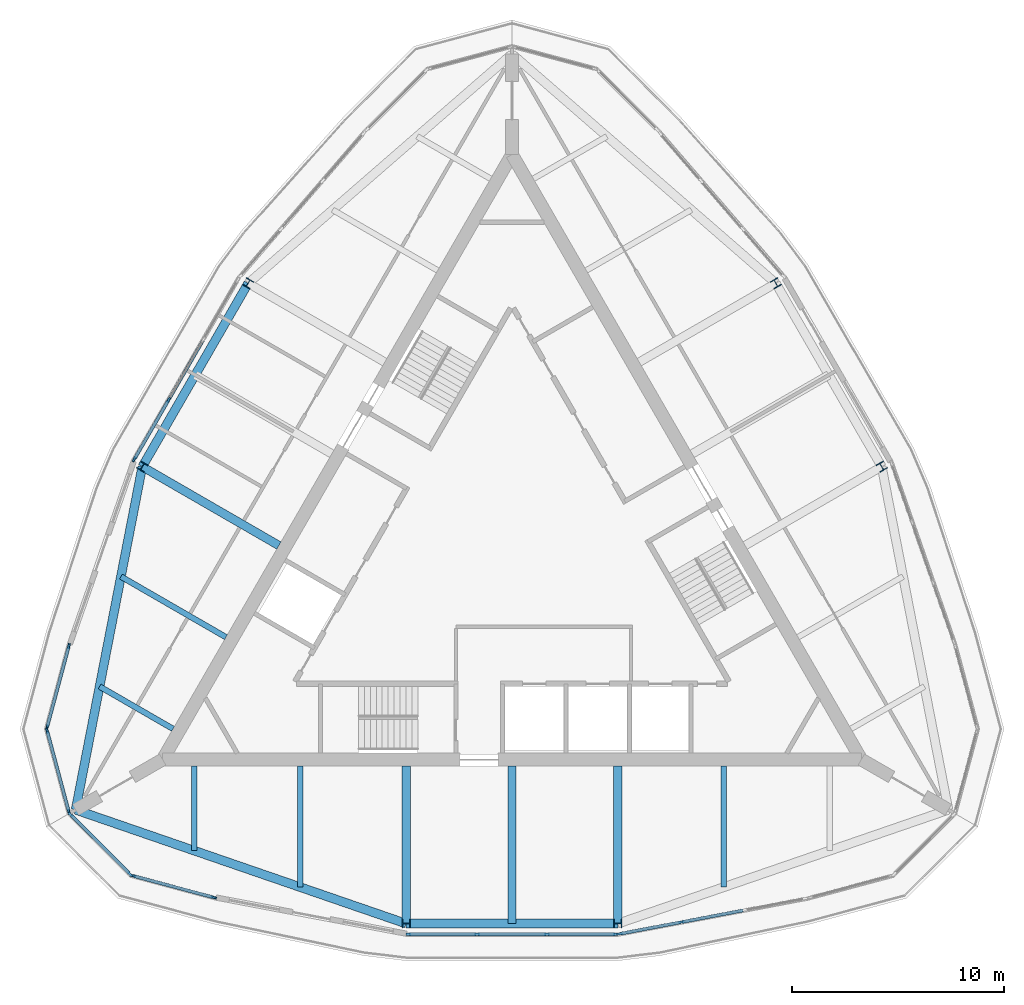
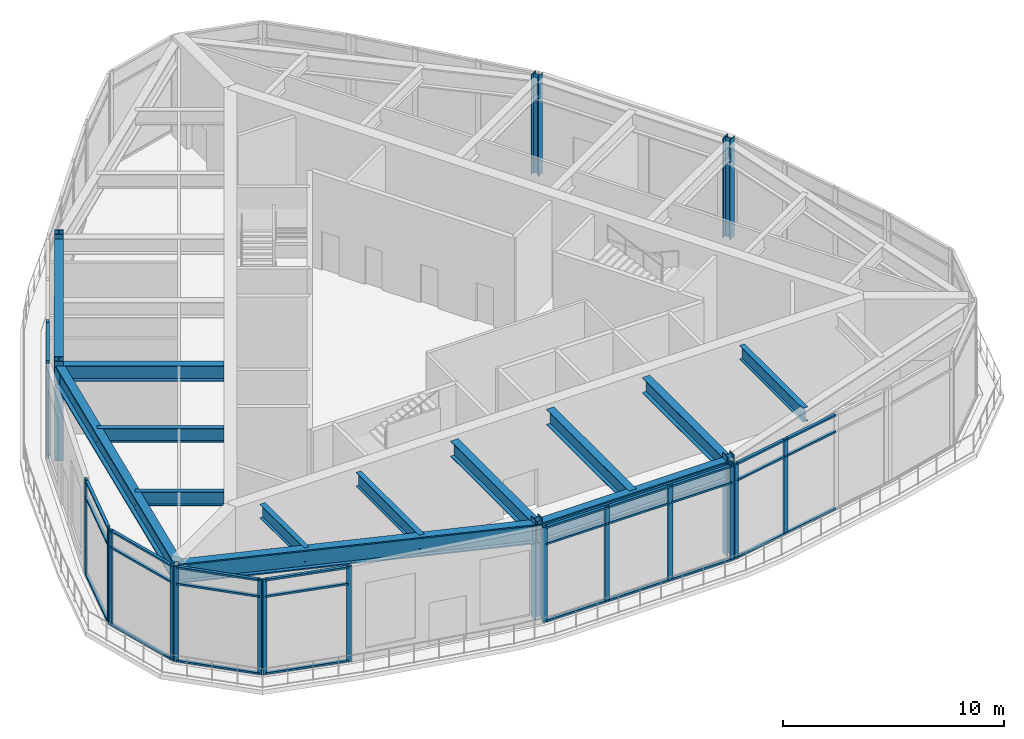
# One storey, part 1 of 9: 47 members, 13 beams, 6 columns, 7 elements without a shape of their own.
"""IFC4 building model written with IfcOpenShell, lengths in metres."""

from ifc_helpers import new_model, si_unit, direction, frame, origin, origin_2d, place, context, subcontext, project, spatial, rectangle, i_section, extrude, material, material_profile, profile_set, type_object, element, aggregate, save


model = new_model("IFC4")

# Units and contexts
model_context = context("Model", 3, precision=1e-05, world=origin(), true_north=direction((0.0, 1.0)))
body_context = subcontext(model_context, "Body", "Model", "MODEL_VIEW")
ifc_project = project(units=[si_unit("LENGTHUNIT", "METRE"), si_unit("AREAUNIT", "SQUARE_METRE"), si_unit("VOLUMEUNIT", "CUBIC_METRE"), si_unit("PLANEANGLEUNIT", "RADIAN"), si_unit("MASSUNIT", "GRAM", prefix="KILO")], contexts=[model_context])

# Site, building, storey
site_placement = place(None, origin())
site = spatial("IfcSite", under=ifc_project, at=site_placement, CompositionType="ELEMENT")
building_placement = place(site_placement, origin())
building = spatial("IfcBuilding", under=site, at=building_placement, Name="Trikona Tower", CompositionType="ELEMENT")
storey_placement = place(building_placement, frame((0.0, 0.0, 281.300048828125)))
storey = spatial("IfcBuildingStorey", under=building, at=storey_placement, Name="L74", CompositionType="ELEMENT", Elevation=281.300048828125)

# Columns
ifc_material_1 = material(Name="Steel ASTM A992 Grade 50", Category="steel")
ifc_material_profile_1 = material_profile(ifc_material_1, i_section(OverallWidth=0.398681640625, OverallDepth=0.385986328125, WebThickness=0.02099609375, FlangeThickness=0.033203125, at=origin_2d()), Name="W14X176")
ifc_profile_set_1 = profile_set([ifc_material_profile_1], Name="Steel ASTM A992 Grade 50")
column_type = type_object("IfcColumnType", Name="Steel column W14x176", PredefinedType="COLUMN", material=ifc_profile_set_1)
for number, where, z_axis, x_axis, name in (
    (1, (-5.0, -17.27587890625, 0.0), (0.0, 0.0, 1.0), (0.0, -1.0, 0.0), "Column F0m5"),
    (2, (5.0, -17.27587890625, 0.0), (0.0, 0.0, 1.0), (0.0, -1.0, 0.0), "Column F0p5"),
    (3, (17.461181640625, 4.307861328125, 0.0), (0.0, 0.0, 1.0), (0.866025403784, 0.5, 0.0), "Column F1m5"),
    (4, (12.461181640625, 12.968017578125, 0.0), (0.0, 0.0, 1.0), (0.866025403784, 0.5, 0.0), "Column F1p5"),
    (5, (-12.461181640625, 12.968017578125, 0.0), (0.0, 0.0, 1.0), (-0.866025403784, 0.5, 0.0), "Column F2m5"),
    (6, (-17.461181640625, 4.307861328125, 0.0), (0.0, 0.0, 1.0), (-0.866025403784, 0.5, 0.0), "Column F2p5"),
):
    element("IfcColumn", number, at=place(storey_placement, frame(where, z_axis=z_axis, x_axis=x_axis)), inside=storey, type_object=column_type, Name=name, PredefinedType="COLUMN", context=body_context, shape_type="SweptSolid", body=[
        extrude(i_section(OverallWidth=0.398681640625, OverallDepth=0.385986328125, WebThickness=0.02099609375, FlangeThickness=0.033203125, at=origin_2d()), origin(), (0.0, 0.0, 1.0), 5.5),
    ])

# Curtain wall, members
ifc_material_2 = material(Name="Aluminium curtain wall system", Category="aluminium")
curtain_wall_type = type_object("IfcCurtainWallType", Name="Curtain wall OB", PredefinedType="NOTDEFINED", material=ifc_material_2)
curtain_wall_1_placement = place(storey_placement, origin())
curtain_wall_1 = element("IfcCurtainWall", 7, at=curtain_wall_1_placement, inside=storey, type_object=curtain_wall_type, Name="Curtain wall OB L74", PredefinedType="NOTDEFINED")
ifc_material_3 = material(Name="Aluminium mullion, pale anodised", Category="aluminium")
ifc_material_profile_2 = material_profile(ifc_material_3, rectangle(XDim=0.10009765625, YDim=0.25, at=origin_2d()), Name="MUL-OB")
ifc_profile_set_2 = profile_set([ifc_material_profile_2], Name="Aluminium mullion, pale anodised")
member_type_1 = type_object("IfcMemberType", Name="Mullion OB 100x250", PredefinedType="MULLION", material=ifc_profile_set_2)
member_1_placement = place(storey_placement, frame((-4.889892578125, -17.77587890625, 0.0), z_axis=(0.0, 0.0, 1.0), x_axis=(0.0, 1.0, 0.0)))
member_1 = element("IfcMember", 8, at=member_1_placement, type_object=member_type_1, Name="CW-OB mullion 1", PredefinedType="MULLION", context=body_context, shape_type="SweptSolid", body=[
    extrude(rectangle(XDim=0.10009765625, YDim=0.25, at=origin_2d()), origin(), (0.0, 0.0, 1.0), 5.25),
])
member_2_placement = place(storey_placement, frame((-1.646728515625, -17.77587890625, 0.0), z_axis=(0.0, 0.0, 1.0), x_axis=(0.0, 1.0, 0.0)))
member_2 = element("IfcMember", 9, at=member_2_placement, type_object=member_type_1, Name="CW-OB mullion 2", PredefinedType="MULLION", context=body_context, shape_type="SweptSolid", body=[
    extrude(rectangle(XDim=0.10009765625, YDim=0.25, at=origin_2d()), origin(), (0.0, 0.0, 1.0), 5.25),
])
member_3_placement = place(storey_placement, frame((1.646728515625, -17.77587890625, 0.0), z_axis=(0.0, 0.0, 1.0), x_axis=(0.0, 1.0, 0.0)))
member_3 = element("IfcMember", 10, at=member_3_placement, type_object=member_type_1, Name="CW-OB mullion 3", PredefinedType="MULLION", context=body_context, shape_type="SweptSolid", body=[
    extrude(rectangle(XDim=0.10009765625, YDim=0.25, at=origin_2d()), origin(), (0.0, 0.0, 1.0), 5.25),
])
member_4_placement = place(storey_placement, frame((4.889892578125, -17.77587890625, 0.0), z_axis=(0.0, 0.0, 1.0), x_axis=(0.0, 1.0, 0.0)))
member_4 = element("IfcMember", 11, at=member_4_placement, type_object=member_type_1, Name="CW-OB mullion 4", PredefinedType="MULLION", context=body_context, shape_type="SweptSolid", body=[
    extrude(rectangle(XDim=0.10009765625, YDim=0.25, at=origin_2d()), origin(), (0.0, 0.0, 1.0), 5.25),
])

curtain_wall_2_placement = place(storey_placement, origin())
curtain_wall_2 = element("IfcCurtainWall", 12, at=curtain_wall_2_placement, inside=storey, type_object=curtain_wall_type, Name="Curtain wall OB L74", PredefinedType="NOTDEFINED")
member_5_placement = place(storey_placement, frame((5.08935546875, -17.757080078125, 0.0), z_axis=(0.0, 0.0, 1.0), x_axis=(-0.186660752571, 0.982424431419, 0.0)))
member_5 = element("IfcMember", 13, at=member_5_placement, type_object=member_type_1, Name="CW-OB mullion 1", PredefinedType="MULLION", context=body_context, shape_type="SweptSolid", body=[
    extrude(rectangle(XDim=0.10009765625, YDim=0.25, at=origin_2d()), origin(), (0.0, 0.0, 1.0), 5.25),
])
member_6_placement = place(storey_placement, frame((8.0009765625, -17.203857421875, 0.0), z_axis=(0.0, 0.0, 1.0), x_axis=(-0.186660752571, 0.982424431419, 0.0)))
member_6 = element("IfcMember", 14, at=member_6_placement, type_object=member_type_1, Name="CW-OB mullion 2", PredefinedType="MULLION", context=body_context, shape_type="SweptSolid", body=[
    extrude(rectangle(XDim=0.10009765625, YDim=0.25, at=origin_2d()), origin(), (0.0, 0.0, 1.0), 5.25),
])

curtain_wall_3_placement = place(storey_placement, origin())
curtain_wall_3 = element("IfcCurtainWall", 15, at=curtain_wall_3_placement, inside=storey, type_object=curtain_wall_type, Name="Curtain wall OB L74", PredefinedType="NOTDEFINED")
member_7_placement = place(storey_placement, frame((-16.217529296875, 7.4619140625, 0.0), z_axis=(0.0, 0.0, 1.0), x_axis=(0.866022089219, -0.500005740951, 0.0)))
member_7 = element("IfcMember", 16, at=member_7_placement, type_object=member_type_1, Name="CW-OB mullion 3", PredefinedType="MULLION", context=body_context, shape_type="SweptSolid", body=[
    extrude(rectangle(XDim=0.10009765625, YDim=0.25, at=origin_2d()), origin(), (0.0, 0.0, 1.0), 5.25),
])
member_8_placement = place(storey_placement, frame((-17.83935546875, 4.653076171875, 0.0), z_axis=(0.0, 0.0, 1.0), x_axis=(0.866022089219, -0.500005740951, 0.0)))
member_8 = element("IfcMember", 17, at=member_8_placement, type_object=member_type_1, Name="CW-OB mullion 4", PredefinedType="MULLION", context=body_context, shape_type="SweptSolid", body=[
    extrude(rectangle(XDim=0.10009765625, YDim=0.25, at=origin_2d()), origin(), (0.0, 0.0, 1.0), 5.25),
])

curtain_wall_4_placement = place(storey_placement, origin())
curtain_wall_4 = element("IfcCurtainWall", 18, at=curtain_wall_4_placement, inside=storey, type_object=curtain_wall_type, Name="Curtain wall OB L74", PredefinedType="NOTDEFINED")
member_9_placement = place(storey_placement, frame((-20.931884765625, -4.173583984375, 0.0), z_axis=(0.0, 0.0, 1.0), x_axis=(0.965921800259, -0.258834069983, 0.0)))
member_9 = element("IfcMember", 19, at=member_9_placement, type_object=member_type_1, Name="CW-OB mullion 1", PredefinedType="MULLION", context=body_context, shape_type="SweptSolid", body=[
    extrude(rectangle(XDim=0.10009765625, YDim=0.25, at=origin_2d()), origin(), (0.0, 0.0, 1.0), 5.25),
])
member_10_placement = place(storey_placement, frame((-21.957763671875, -8.00244140625, 0.0), z_axis=(0.0, 0.0, 1.0), x_axis=(0.965921800259, -0.258834069983, 0.0)))
member_10 = element("IfcMember", 20, at=member_10_placement, type_object=member_type_1, Name="CW-OB mullion 2", PredefinedType="MULLION", context=body_context, shape_type="SweptSolid", body=[
    extrude(rectangle(XDim=0.10009765625, YDim=0.25, at=origin_2d()), origin(), (0.0, 0.0, 1.0), 5.25),
])

curtain_wall_5_placement = place(storey_placement, origin())
curtain_wall_5 = element("IfcCurtainWall", 21, at=curtain_wall_5_placement, inside=storey, type_object=curtain_wall_type, Name="Curtain wall OB L74", PredefinedType="NOTDEFINED")
member_11_placement = place(storey_placement, frame((-21.957763671875, -8.163330078125, 0.0), z_axis=(0.0, 0.0, 1.0), x_axis=(0.965923448705, 0.258827918204, 0.0)))
member_11 = element("IfcMember", 22, at=member_11_placement, type_object=member_type_1, Name="CW-OB mullion 1", PredefinedType="MULLION", context=body_context, shape_type="SweptSolid", body=[
    extrude(rectangle(XDim=0.10009765625, YDim=0.25, at=origin_2d()), origin(), (0.0, 0.0, 1.0), 5.25),
])
member_12_placement = place(storey_placement, frame((-20.931884765625, -11.9921875, 0.0), z_axis=(0.0, 0.0, 1.0), x_axis=(0.965923448705, 0.258827918204, 0.0)))
member_12 = element("IfcMember", 23, at=member_12_placement, type_object=member_type_1, Name="CW-OB mullion 2", PredefinedType="MULLION", context=body_context, shape_type="SweptSolid", body=[
    extrude(rectangle(XDim=0.10009765625, YDim=0.25, at=origin_2d()), origin(), (0.0, 0.0, 1.0), 5.25),
])

curtain_wall_6_placement = place(storey_placement, origin())
curtain_wall_6 = element("IfcCurtainWall", 24, at=curtain_wall_6_placement, inside=storey, type_object=curtain_wall_type, Name="Curtain wall OB L74", PredefinedType="NOTDEFINED")
member_13_placement = place(storey_placement, frame((-20.8515625, -12.13134765625, 0.0), z_axis=(0.0, 0.0, 1.0), x_axis=(0.707106781187, 0.707106781187, 0.0)))
member_13 = element("IfcMember", 25, at=member_13_placement, type_object=member_type_1, Name="CW-OB mullion 1", PredefinedType="MULLION", context=body_context, shape_type="SweptSolid", body=[
    extrude(rectangle(XDim=0.10009765625, YDim=0.25, at=origin_2d()), origin(), (0.0, 0.0, 1.0), 5.25),
])
member_14_placement = place(storey_placement, frame((-18.048583984375, -14.934326171875, 0.0), z_axis=(0.0, 0.0, 1.0), x_axis=(0.707106781187, 0.707106781187, 0.0)))
member_14 = element("IfcMember", 26, at=member_14_placement, type_object=member_type_1, Name="CW-OB mullion 2", PredefinedType="MULLION", context=body_context, shape_type="SweptSolid", body=[
    extrude(rectangle(XDim=0.10009765625, YDim=0.25, at=origin_2d()), origin(), (0.0, 0.0, 1.0), 5.25),
])

curtain_wall_7_placement = place(storey_placement, origin())
curtain_wall_7 = element("IfcCurtainWall", 27, at=curtain_wall_7_placement, inside=storey, type_object=curtain_wall_type, Name="Curtain wall OB L74", PredefinedType="NOTDEFINED")
member_15_placement = place(storey_placement, frame((-17.909423828125, -15.0146484375, 0.0), z_axis=(0.0, 0.0, 1.0), x_axis=(0.258827918204, 0.965923448705, 0.0)))
member_15 = element("IfcMember", 28, at=member_15_placement, type_object=member_type_1, Name="CW-OB mullion 1", PredefinedType="MULLION", context=body_context, shape_type="SweptSolid", body=[
    extrude(rectangle(XDim=0.10009765625, YDim=0.25, at=origin_2d()), origin(), (0.0, 0.0, 1.0), 5.25),
])
member_16_placement = place(storey_placement, frame((-14.080322265625, -16.040771484375, 0.0), z_axis=(0.0, 0.0, 1.0), x_axis=(0.258827918204, 0.965923448705, 0.0)))
member_16 = element("IfcMember", 29, at=member_16_placement, type_object=member_type_1, Name="CW-OB mullion 2", PredefinedType="MULLION", context=body_context, shape_type="SweptSolid", body=[
    extrude(rectangle(XDim=0.10009765625, YDim=0.25, at=origin_2d()), origin(), (0.0, 0.0, 1.0), 5.25),
])

# Beams
ifc_material_4 = material(Name="Steel ASTM A992 Grade 50", Category="steel")
ifc_material_profile_3 = material_profile(ifc_material_4, i_section(OverallWidth=0.2666015625, OverallDepth=0.76953125, WebThickness=0.015625, FlangeThickness=0.025390625, at=origin_2d()), Name="W30X132")
ifc_profile_set_3 = profile_set([ifc_material_profile_3], Name="Steel ASTM A992 Grade 50")
beam_type_1 = type_object("IfcBeamType", Name="Steel beam W30x132 (wedge)", PredefinedType="BEAM", material=ifc_profile_set_3)
beam_1_placement = place(storey_placement, frame((-15.0, -9.826416015625, 4.865234375), z_axis=(0.0, -1.0, 0.0), x_axis=(1.0, 0.0, 0.0)))
element("IfcBeam", 30, at=beam_1_placement, inside=storey, type_object=beam_type_1, Name="Floor beam L75 F1 u-15", PredefinedType="BEAM", context=body_context, shape_type="SweptSolid", body=[
    extrude(i_section(OverallWidth=0.2666015625, OverallDepth=0.76953125, WebThickness=0.015625, FlangeThickness=0.025390625, at=origin_2d()), origin(), (0.0, 0.0, 1.0), 4.005126953125),
])
for number, where, z_axis, x_axis, name in (
    (31, (-10.0, -9.826416015625, 4.865234375), (0.0, -1.0, 0.0), (1.0, 0.0, 0.0), "Floor beam L75 F1 u-10"),
    (32, (10.0, -9.826416015625, 4.865234375), (0.0, -1.0, 0.0), (1.0, 0.0, 0.0), "Floor beam L75 F1 u10"),
):
    element("IfcBeam", number, at=place(storey_placement, frame(where, z_axis=z_axis, x_axis=x_axis)), inside=storey, type_object=beam_type_1, Name=name, PredefinedType="BEAM", context=body_context, shape_type="SweptSolid", body=[
        extrude(i_section(OverallWidth=0.2666015625, OverallDepth=0.76953125, WebThickness=0.015625, FlangeThickness=0.025390625, at=origin_2d()), origin(), (0.0, 0.0, 1.0), 5.727294921875),
    ])
beam_2_placement = place(storey_placement, frame((-13.509765625, -3.7470703125, 4.865234375), z_axis=(-0.866025872957, 0.499999187369, 0.0), x_axis=(-0.499999187369, -0.866025872957, 0.0)))
element("IfcBeam", 33, at=beam_2_placement, inside=storey, type_object=beam_type_1, Name="Floor beam L75 F3 u10", PredefinedType="BEAM", context=body_context, shape_type="SweptSolid", body=[
    extrude(i_section(OverallWidth=0.2666015625, OverallDepth=0.76953125, WebThickness=0.015625, FlangeThickness=0.025390625, at=origin_2d()), origin(), (0.0, 0.0, 1.0), 5.7275390625),
])
beam_3_placement = place(storey_placement, frame((-16.009765625, -8.077392578125, 4.865234375), z_axis=(-0.866025209122, 0.500000337164, 0.0), x_axis=(-0.500000337164, -0.866025209122, 0.0)))
element("IfcBeam", 34, at=beam_3_placement, inside=storey, type_object=beam_type_1, Name="Floor beam L75 F3 u15", PredefinedType="BEAM", context=body_context, shape_type="SweptSolid", body=[
    extrude(i_section(OverallWidth=0.2666015625, OverallDepth=0.76953125, WebThickness=0.015625, FlangeThickness=0.025390625, at=origin_2d()), origin(), (0.0, 0.0, 1.0), 4.00537109375),
])
ifc_material_5 = material(Name="Steel ASTM A992 Grade 50", Category="steel")
ifc_material_profile_4 = material_profile(ifc_material_5, i_section(OverallWidth=0.398681640625, OverallDepth=0.85595703125, WebThickness=0.01806640625, FlangeThickness=0.029296875, at=origin_2d()), Name="W33X201")
ifc_profile_set_4 = profile_set([ifc_material_profile_4], Name="Steel ASTM A992 Grade 50")
beam_type_2 = type_object("IfcBeamType", Name="Steel beam W33x201 (top)", PredefinedType="BEAM", material=ifc_profile_set_4)
for number, where, z_axis, x_axis, name in (
    (35, (-5.0, -9.826416015625, 4.822021484375), (0.0, -1.0, 0.0), (1.0, 0.0, 0.0), "Floor beam L75 F1 u-5"),
    (36, (0.0, -9.826416015625, 4.822021484375), (0.0, -1.0, 0.0), (1.0, 0.0, 0.0), "Floor beam L75 F1 u0"),
    (37, (5.0, -9.826416015625, 4.822021484375), (0.0, -1.0, 0.0), (1.0, 0.0, 0.0), "Floor beam L75 F1 u5"),
    (38, (-11.009765625, 0.5830078125, 4.822021484375), (-0.866018036629, 0.50001276007, 0.0), (-0.50001276007, -0.866018036629, 0.0), "Floor beam L75 F3 u5"),
):
    element("IfcBeam", number, at=place(storey_placement, frame(where, z_axis=z_axis, x_axis=x_axis)), inside=storey, type_object=beam_type_2, Name=name, PredefinedType="BEAM", context=body_context, shape_type="SweptSolid", body=[
        extrude(i_section(OverallWidth=0.398681640625, OverallDepth=0.85595703125, WebThickness=0.01806640625, FlangeThickness=0.029296875, at=origin_2d()), origin(), (0.0, 0.0, 1.0), 7.449462890625),
    ])
ifc_material_6 = material(Name="Steel ASTM A992 Grade 50", Category="steel")
ifc_material_profile_5 = material_profile(ifc_material_6, i_section(OverallWidth=0.41650390625, OverallDepth=1.0693359375, WebThickness=0.0390625, FlangeThickness=0.070068359375, at=origin_2d()), Name="W40X503")
ifc_profile_set_5 = profile_set([ifc_material_profile_5], Name="Steel ASTM A992 Grade 50")
beam_type_3 = type_object("IfcBeamType", Name="Steel beam W40x503 (crown spandrel)", PredefinedType="SPANDREL", material=ifc_profile_set_5)
beam_4_placement = place(storey_placement, frame((-20.6103515625, -11.8994140625, 4.71533203125), z_axis=(0.945492661054, -0.325643406033, 0.0), x_axis=(0.325643406033, 0.945492661054, 0.0)))
element("IfcBeam", 39, at=beam_4_placement, inside=storey, type_object=beam_type_3, Name="Spandrel beam L75 F1-1", PredefinedType="SPANDREL", context=body_context, shape_type="SweptSolid", body=[
    extrude(i_section(OverallWidth=0.41650390625, OverallDepth=1.0693359375, WebThickness=0.0390625, FlangeThickness=0.070068359375, at=origin_2d()), origin(), (0.0, 0.0, 1.0), 16.51025390625),
])
for number, where, z_axis, x_axis, name in (
    (40, (-5.0, -17.27587890625, 4.71533203125), (1.0, 0.0, 0.0), (0.0, 1.0, 0.0), "Spandrel beam L75 F1-2"),
    (41, (-12.461181640625, 12.968017578125, 4.71533203125), (-0.500004234368, -0.866022959057, 0.0), (0.866022959057, -0.500004234368, 0.0), "Spandrel beam L75 F3-2"),
):
    element("IfcBeam", number, at=place(storey_placement, frame(where, z_axis=z_axis, x_axis=x_axis)), inside=storey, type_object=beam_type_3, Name=name, PredefinedType="SPANDREL", context=body_context, shape_type="SweptSolid", body=[
        extrude(i_section(OverallWidth=0.41650390625, OverallDepth=1.0693359375, WebThickness=0.0390625, FlangeThickness=0.070068359375, at=origin_2d()), origin(), (0.0, 0.0, 1.0), 10.0),
    ])
beam_5_placement = place(storey_placement, frame((-17.461181640625, 4.307861328125, 4.71533203125), z_axis=(-0.190738651496, -0.981640854297, 0.0), x_axis=(0.981640854297, -0.190738651496, 0.0)))
element("IfcBeam", 42, at=beam_5_placement, inside=storey, type_object=beam_type_3, Name="Spandrel beam L75 F3-3", PredefinedType="SPANDREL", context=body_context, shape_type="SweptSolid", body=[
    extrude(i_section(OverallWidth=0.41650390625, OverallDepth=1.0693359375, WebThickness=0.0390625, FlangeThickness=0.070068359375, at=origin_2d()), origin(), (0.0, 0.0, 1.0), 16.510498046875),
])

# Member
ifc_material_7 = material(Name="Aluminium transom, pale anodised", Category="aluminium")
ifc_material_profile_6 = material_profile(ifc_material_7, rectangle(XDim=0.14990234375, YDim=0.10009765625, at=origin_2d()), Name="TRN-OB")
ifc_profile_set_6 = profile_set([ifc_material_profile_6], Name="Aluminium transom, pale anodised")
member_type_2 = type_object("IfcMemberType", Name="Transom OB 100x150", PredefinedType="USERDEFINED", material=ifc_profile_set_6)
member_17_placement = place(storey_placement, frame((-4.840087890625, -17.77587890625, 0.050048828125), z_axis=(1.0, 0.0, 0.0), x_axis=(0.0, 1.0, 0.0)))
member_17 = element("IfcMember", 43, at=member_17_placement, type_object=member_type_2, Name="CW-OB transom 1.1", ObjectType="TRANSOM", PredefinedType="USERDEFINED", context=body_context, shape_type="SweptSolid", body=[
    extrude(rectangle(XDim=0.14990234375, YDim=0.10009765625, at=origin_2d()), origin(), (0.0, 0.0, 1.0), 3.143310546875),
])

member_18_placement = place(storey_placement, frame((-4.840087890625, -17.77587890625, 4.300048828125), z_axis=(1.0, 0.0, 0.0), x_axis=(0.0, 1.0, 0.0)))
member_18 = element("IfcMember", 44, at=member_18_placement, type_object=member_type_2, Name="CW-OB transom 1.2", ObjectType="TRANSOM", PredefinedType="USERDEFINED", context=body_context, shape_type="SweptSolid", body=[
    extrude(rectangle(XDim=0.14990234375, YDim=0.10009765625, at=origin_2d()), origin(), (0.0, 0.0, 1.0), 3.143310546875),
])

member_19_placement = place(storey_placement, frame((-4.840087890625, -17.77587890625, 5.199951171875), z_axis=(1.0, 0.0, 0.0), x_axis=(0.0, 1.0, 0.0)))
member_19 = element("IfcMember", 45, at=member_19_placement, type_object=member_type_2, Name="CW-OB transom 1.3", ObjectType="TRANSOM", PredefinedType="USERDEFINED", context=body_context, shape_type="SweptSolid", body=[
    extrude(rectangle(XDim=0.14990234375, YDim=0.10009765625, at=origin_2d()), origin(), (0.0, 0.0, 1.0), 3.143310546875),
])

member_20_placement = place(storey_placement, frame((-1.5966796875, -17.77587890625, 0.050048828125), z_axis=(1.0, 0.0, 0.0), x_axis=(0.0, 1.0, 0.0)))
member_20 = element("IfcMember", 46, at=member_20_placement, type_object=member_type_2, Name="CW-OB transom 2.1", ObjectType="TRANSOM", PredefinedType="USERDEFINED", context=body_context, shape_type="SweptSolid", body=[
    extrude(rectangle(XDim=0.14990234375, YDim=0.10009765625, at=origin_2d()), origin(), (0.0, 0.0, 1.0), 3.193359375),
])

member_21_placement = place(storey_placement, frame((-1.5966796875, -17.77587890625, 4.300048828125), z_axis=(1.0, 0.0, 0.0), x_axis=(0.0, 1.0, 0.0)))
member_21 = element("IfcMember", 47, at=member_21_placement, type_object=member_type_2, Name="CW-OB transom 2.2", ObjectType="TRANSOM", PredefinedType="USERDEFINED", context=body_context, shape_type="SweptSolid", body=[
    extrude(rectangle(XDim=0.14990234375, YDim=0.10009765625, at=origin_2d()), origin(), (0.0, 0.0, 1.0), 3.193359375),
])

member_22_placement = place(storey_placement, frame((-1.5966796875, -17.77587890625, 5.199951171875), z_axis=(1.0, 0.0, 0.0), x_axis=(0.0, 1.0, 0.0)))
member_22 = element("IfcMember", 48, at=member_22_placement, type_object=member_type_2, Name="CW-OB transom 2.3", ObjectType="TRANSOM", PredefinedType="USERDEFINED", context=body_context, shape_type="SweptSolid", body=[
    extrude(rectangle(XDim=0.14990234375, YDim=0.10009765625, at=origin_2d()), origin(), (0.0, 0.0, 1.0), 3.193359375),
])

member_23_placement = place(storey_placement, frame((1.69677734375, -17.77587890625, 0.050048828125), z_axis=(1.0, 0.0, 0.0), x_axis=(0.0, 1.0, 0.0)))
member_23 = element("IfcMember", 49, at=member_23_placement, type_object=member_type_2, Name="CW-OB transom 3.1", ObjectType="TRANSOM", PredefinedType="USERDEFINED", context=body_context, shape_type="SweptSolid", body=[
    extrude(rectangle(XDim=0.14990234375, YDim=0.10009765625, at=origin_2d()), origin(), (0.0, 0.0, 1.0), 3.143310546875),
])

member_24_placement = place(storey_placement, frame((1.69677734375, -17.77587890625, 4.300048828125), z_axis=(1.0, 0.0, 0.0), x_axis=(0.0, 1.0, 0.0)))
member_24 = element("IfcMember", 50, at=member_24_placement, type_object=member_type_2, Name="CW-OB transom 3.2", ObjectType="TRANSOM", PredefinedType="USERDEFINED", context=body_context, shape_type="SweptSolid", body=[
    extrude(rectangle(XDim=0.14990234375, YDim=0.10009765625, at=origin_2d()), origin(), (0.0, 0.0, 1.0), 3.143310546875),
])

member_25_placement = place(storey_placement, frame((1.69677734375, -17.77587890625, 5.199951171875), z_axis=(1.0, 0.0, 0.0), x_axis=(0.0, 1.0, 0.0)))
member_25 = element("IfcMember", 51, at=member_25_placement, type_object=member_type_2, Name="CW-OB transom 3.3", ObjectType="TRANSOM", PredefinedType="USERDEFINED", context=body_context, shape_type="SweptSolid", body=[
    extrude(rectangle(XDim=0.14990234375, YDim=0.10009765625, at=origin_2d()), origin(), (0.0, 0.0, 1.0), 3.143310546875),
])

aggregate(curtain_wall_1, [member_1, member_2, member_3, member_4, member_17, member_18, member_19, member_20, member_21, member_22, member_23, member_24, member_25])

member_26_placement = place(storey_placement, frame((5.138427734375, -17.747802734375, 0.050048828125), z_axis=(0.982417572475, 0.186696848639, 0.0), x_axis=(-0.186696848639, 0.982417572475, 0.0)))
member_26 = element("IfcMember", 52, at=member_26_placement, type_object=member_type_2, Name="CW-OB transom 1.1", ObjectType="TRANSOM", PredefinedType="USERDEFINED", context=body_context, shape_type="SweptSolid", body=[
    extrude(rectangle(XDim=0.14990234375, YDim=0.10009765625, at=origin_2d()), origin(), (0.0, 0.0, 1.0), 2.86376953125),
])

member_27_placement = place(storey_placement, frame((5.138427734375, -17.747802734375, 4.300048828125), z_axis=(0.982417572475, 0.186696848639, 0.0), x_axis=(-0.186696848639, 0.982417572475, 0.0)))
member_27 = element("IfcMember", 53, at=member_27_placement, type_object=member_type_2, Name="CW-OB transom 1.2", ObjectType="TRANSOM", PredefinedType="USERDEFINED", context=body_context, shape_type="SweptSolid", body=[
    extrude(rectangle(XDim=0.14990234375, YDim=0.10009765625, at=origin_2d()), origin(), (0.0, 0.0, 1.0), 2.86376953125),
])

member_28_placement = place(storey_placement, frame((5.138427734375, -17.747802734375, 5.199951171875), z_axis=(0.982417572475, 0.186696848639, 0.0), x_axis=(-0.186696848639, 0.982417572475, 0.0)))
member_28 = element("IfcMember", 54, at=member_28_placement, type_object=member_type_2, Name="CW-OB transom 1.3", ObjectType="TRANSOM", PredefinedType="USERDEFINED", context=body_context, shape_type="SweptSolid", body=[
    extrude(rectangle(XDim=0.14990234375, YDim=0.10009765625, at=origin_2d()), origin(), (0.0, 0.0, 1.0), 2.86376953125),
])

member_29_placement = place(storey_placement, frame((8.050048828125, -17.194580078125, 0.050048828125), z_axis=(0.982420610208, 0.186680863074, 0.0), x_axis=(-0.186680863074, 0.982420610208, 0.0)))
member_29 = element("IfcMember", 55, at=member_29_placement, type_object=member_type_2, Name="CW-OB transom 2.1", ObjectType="TRANSOM", PredefinedType="USERDEFINED", context=body_context, shape_type="SweptSolid", body=[
    extrude(rectangle(XDim=0.14990234375, YDim=0.10009765625, at=origin_2d()), origin(), (0.0, 0.0, 1.0), 2.913818359375),
])

member_30_placement = place(storey_placement, frame((8.050048828125, -17.194580078125, 4.300048828125), z_axis=(0.982420610208, 0.186680863074, 0.0), x_axis=(-0.186680863074, 0.982420610208, 0.0)))
member_30 = element("IfcMember", 56, at=member_30_placement, type_object=member_type_2, Name="CW-OB transom 2.2", ObjectType="TRANSOM", PredefinedType="USERDEFINED", context=body_context, shape_type="SweptSolid", body=[
    extrude(rectangle(XDim=0.14990234375, YDim=0.10009765625, at=origin_2d()), origin(), (0.0, 0.0, 1.0), 2.913818359375),
])

member_31_placement = place(storey_placement, frame((8.050048828125, -17.194580078125, 5.199951171875), z_axis=(0.982420610208, 0.186680863074, 0.0), x_axis=(-0.186680863074, 0.982420610208, 0.0)))
member_31 = element("IfcMember", 57, at=member_31_placement, type_object=member_type_2, Name="CW-OB transom 2.3", ObjectType="TRANSOM", PredefinedType="USERDEFINED", context=body_context, shape_type="SweptSolid", body=[
    extrude(rectangle(XDim=0.14990234375, YDim=0.10009765625, at=origin_2d()), origin(), (0.0, 0.0, 1.0), 2.913818359375),
])

aggregate(curtain_wall_2, [member_5, member_6, member_26, member_27, member_28, member_29, member_30, member_31])

member_32_placement = place(storey_placement, frame((-14.595947265625, 10.270751953125, 0.050048828125), z_axis=(-0.499987164874, -0.866032814021, 0.0), x_axis=(0.866032814021, -0.499987164874, 0.0)))
member_32 = element("IfcMember", 58, at=member_32_placement, type_object=member_type_2, Name="CW-OB transom 2.1", ObjectType="TRANSOM", PredefinedType="USERDEFINED", context=body_context, shape_type="SweptSolid", body=[
    extrude(rectangle(XDim=0.14990234375, YDim=0.10009765625, at=origin_2d()), origin(), (0.0, 0.0, 1.0), 3.193359375),
])

member_33_placement = place(storey_placement, frame((-16.24267578125, 7.41845703125, 0.050048828125), z_axis=(-0.499973465047, -0.866040723205, 0.0), x_axis=(0.866040723205, -0.499973465047, 0.0)))
member_33 = element("IfcMember", 59, at=member_33_placement, type_object=member_type_2, Name="CW-OB transom 3.1", ObjectType="TRANSOM", PredefinedType="USERDEFINED", context=body_context, shape_type="SweptSolid", body=[
    extrude(rectangle(XDim=0.14990234375, YDim=0.10009765625, at=origin_2d()), origin(), (0.0, 0.0, 1.0), 3.143310546875),
])

member_34_placement = place(storey_placement, frame((-16.24267578125, 7.41845703125, 4.300048828125), z_axis=(-0.499973465047, -0.866040723205, 0.0), x_axis=(0.866040723205, -0.499973465047, 0.0)))
member_34 = element("IfcMember", 60, at=member_34_placement, type_object=member_type_2, Name="CW-OB transom 3.2", ObjectType="TRANSOM", PredefinedType="USERDEFINED", context=body_context, shape_type="SweptSolid", body=[
    extrude(rectangle(XDim=0.14990234375, YDim=0.10009765625, at=origin_2d()), origin(), (0.0, 0.0, 1.0), 3.143310546875),
])

member_35_placement = place(storey_placement, frame((-16.24267578125, 7.41845703125, 5.199951171875), z_axis=(-0.499973465047, -0.866040723205, 0.0), x_axis=(0.866040723205, -0.499973465047, 0.0)))
member_35 = element("IfcMember", 61, at=member_35_placement, type_object=member_type_2, Name="CW-OB transom 3.3", ObjectType="TRANSOM", PredefinedType="USERDEFINED", context=body_context, shape_type="SweptSolid", body=[
    extrude(rectangle(XDim=0.14990234375, YDim=0.10009765625, at=origin_2d()), origin(), (0.0, 0.0, 1.0), 3.143310546875),
])

aggregate(curtain_wall_3, [member_7, member_8, member_32, member_33, member_34, member_35])

member_36_placement = place(storey_placement, frame((-20.94482421875, -4.221923828125, 0.050048828125), z_axis=(-0.258810832585, -0.965928026789, 0.0), x_axis=(0.965928026789, -0.258810832585, 0.0)))
member_36 = element("IfcMember", 62, at=member_36_placement, type_object=member_type_2, Name="CW-OB transom 1.1", ObjectType="TRANSOM", PredefinedType="USERDEFINED", context=body_context, shape_type="SweptSolid", body=[
    extrude(rectangle(XDim=0.14990234375, YDim=0.10009765625, at=origin_2d()), origin(), (0.0, 0.0, 1.0), 3.86376953125),
])

member_37_placement = place(storey_placement, frame((-20.94482421875, -4.221923828125, 4.300048828125), z_axis=(-0.258810832585, -0.965928026789, 0.0), x_axis=(0.965928026789, -0.258810832585, 0.0)))
member_37 = element("IfcMember", 63, at=member_37_placement, type_object=member_type_2, Name="CW-OB transom 1.2", ObjectType="TRANSOM", PredefinedType="USERDEFINED", context=body_context, shape_type="SweptSolid", body=[
    extrude(rectangle(XDim=0.14990234375, YDim=0.10009765625, at=origin_2d()), origin(), (0.0, 0.0, 1.0), 3.86376953125),
])

member_38_placement = place(storey_placement, frame((-20.94482421875, -4.221923828125, 5.199951171875), z_axis=(-0.258810832585, -0.965928026789, 0.0), x_axis=(0.965928026789, -0.258810832585, 0.0)))
member_38 = element("IfcMember", 64, at=member_38_placement, type_object=member_type_2, Name="CW-OB transom 1.3", ObjectType="TRANSOM", PredefinedType="USERDEFINED", context=body_context, shape_type="SweptSolid", body=[
    extrude(rectangle(XDim=0.14990234375, YDim=0.10009765625, at=origin_2d()), origin(), (0.0, 0.0, 1.0), 3.86376953125),
])

aggregate(curtain_wall_4, [member_9, member_10, member_36, member_37, member_38])

member_39_placement = place(storey_placement, frame((-21.94482421875, -8.211669921875, 0.050048828125), z_axis=(0.25879503742, -0.965932258808, 0.0), x_axis=(0.965932258808, 0.25879503742, 0.0)))
member_39 = element("IfcMember", 65, at=member_39_placement, type_object=member_type_2, Name="CW-OB transom 1.1", ObjectType="TRANSOM", PredefinedType="USERDEFINED", context=body_context, shape_type="SweptSolid", body=[
    extrude(rectangle(XDim=0.14990234375, YDim=0.10009765625, at=origin_2d()), origin(), (0.0, 0.0, 1.0), 3.864013671875),
])

member_40_placement = place(storey_placement, frame((-21.94482421875, -8.211669921875, 4.300048828125), z_axis=(0.25879503742, -0.965932258808, 0.0), x_axis=(0.965932258808, 0.25879503742, 0.0)))
member_40 = element("IfcMember", 66, at=member_40_placement, type_object=member_type_2, Name="CW-OB transom 1.2", ObjectType="TRANSOM", PredefinedType="USERDEFINED", context=body_context, shape_type="SweptSolid", body=[
    extrude(rectangle(XDim=0.14990234375, YDim=0.10009765625, at=origin_2d()), origin(), (0.0, 0.0, 1.0), 3.864013671875),
])

member_41_placement = place(storey_placement, frame((-21.94482421875, -8.211669921875, 5.199951171875), z_axis=(0.25879503742, -0.965932258808, 0.0), x_axis=(0.965932258808, 0.25879503742, 0.0)))
member_41 = element("IfcMember", 67, at=member_41_placement, type_object=member_type_2, Name="CW-OB transom 1.3", ObjectType="TRANSOM", PredefinedType="USERDEFINED", context=body_context, shape_type="SweptSolid", body=[
    extrude(rectangle(XDim=0.14990234375, YDim=0.10009765625, at=origin_2d()), origin(), (0.0, 0.0, 1.0), 3.864013671875),
])

aggregate(curtain_wall_5, [member_11, member_12, member_39, member_40, member_41])

member_42_placement = place(storey_placement, frame((-20.816162109375, -12.166748046875, 0.050048828125), z_axis=(0.707075189238, -0.707138371723, 0.0), x_axis=(0.707138371723, 0.707075189238, 0.0)))
member_42 = element("IfcMember", 68, at=member_42_placement, type_object=member_type_2, Name="CW-OB transom 1.1", ObjectType="TRANSOM", PredefinedType="USERDEFINED", context=body_context, shape_type="SweptSolid", body=[
    extrude(rectangle(XDim=0.14990234375, YDim=0.10009765625, at=origin_2d()), origin(), (0.0, 0.0, 1.0), 3.864013671875),
])

member_43_placement = place(storey_placement, frame((-20.816162109375, -12.166748046875, 4.300048828125), z_axis=(0.707075189238, -0.707138371723, 0.0), x_axis=(0.707138371723, 0.707075189238, 0.0)))
member_43 = element("IfcMember", 69, at=member_43_placement, type_object=member_type_2, Name="CW-OB transom 1.2", ObjectType="TRANSOM", PredefinedType="USERDEFINED", context=body_context, shape_type="SweptSolid", body=[
    extrude(rectangle(XDim=0.14990234375, YDim=0.10009765625, at=origin_2d()), origin(), (0.0, 0.0, 1.0), 3.864013671875),
])

member_44_placement = place(storey_placement, frame((-20.816162109375, -12.166748046875, 5.199951171875), z_axis=(0.707075189238, -0.707138371723, 0.0), x_axis=(0.707138371723, 0.707075189238, 0.0)))
member_44 = element("IfcMember", 70, at=member_44_placement, type_object=member_type_2, Name="CW-OB transom 1.3", ObjectType="TRANSOM", PredefinedType="USERDEFINED", context=body_context, shape_type="SweptSolid", body=[
    extrude(rectangle(XDim=0.14990234375, YDim=0.10009765625, at=origin_2d()), origin(), (0.0, 0.0, 1.0), 3.864013671875),
])

aggregate(curtain_wall_6, [member_13, member_14, member_42, member_43, member_44])

member_45_placement = place(storey_placement, frame((-17.861083984375, -15.027587890625, 0.050048828125), z_axis=(0.965916463032, -0.258853986724, 0.0), x_axis=(0.258853986724, 0.965916463032, 0.0)))
member_45 = element("IfcMember", 71, at=member_45_placement, type_object=member_type_2, Name="CW-OB transom 1.1", ObjectType="TRANSOM", PredefinedType="USERDEFINED", context=body_context, shape_type="SweptSolid", body=[
    extrude(rectangle(XDim=0.14990234375, YDim=0.10009765625, at=origin_2d()), origin(), (0.0, 0.0, 1.0), 3.864013671875),
])

member_46_placement = place(storey_placement, frame((-17.861083984375, -15.027587890625, 4.300048828125), z_axis=(0.965916463032, -0.258853986724, 0.0), x_axis=(0.258853986724, 0.965916463032, 0.0)))
member_46 = element("IfcMember", 72, at=member_46_placement, type_object=member_type_2, Name="CW-OB transom 1.2", ObjectType="TRANSOM", PredefinedType="USERDEFINED", context=body_context, shape_type="SweptSolid", body=[
    extrude(rectangle(XDim=0.14990234375, YDim=0.10009765625, at=origin_2d()), origin(), (0.0, 0.0, 1.0), 3.864013671875),
])

member_47_placement = place(storey_placement, frame((-17.861083984375, -15.027587890625, 5.199951171875), z_axis=(0.965916463032, -0.258853986724, 0.0), x_axis=(0.258853986724, 0.965916463032, 0.0)))
member_47 = element("IfcMember", 73, at=member_47_placement, type_object=member_type_2, Name="CW-OB transom 1.3", ObjectType="TRANSOM", PredefinedType="USERDEFINED", context=body_context, shape_type="SweptSolid", body=[
    extrude(rectangle(XDim=0.14990234375, YDim=0.10009765625, at=origin_2d()), origin(), (0.0, 0.0, 1.0), 3.864013671875),
])

aggregate(curtain_wall_7, [member_15, member_16, member_45, member_46, member_47])

save(model, "model.ifc")
